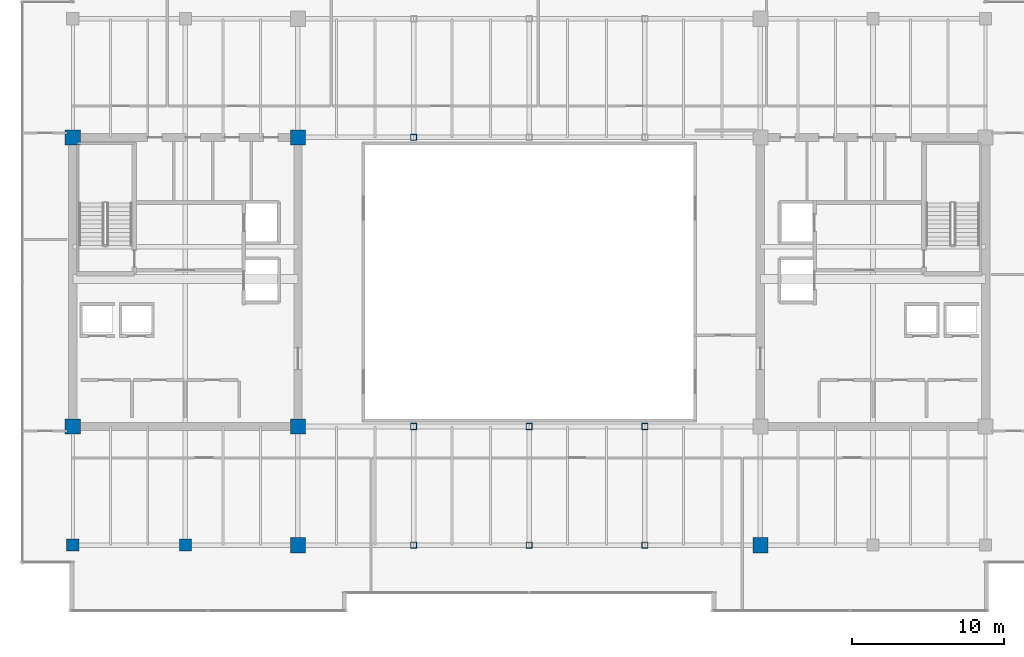
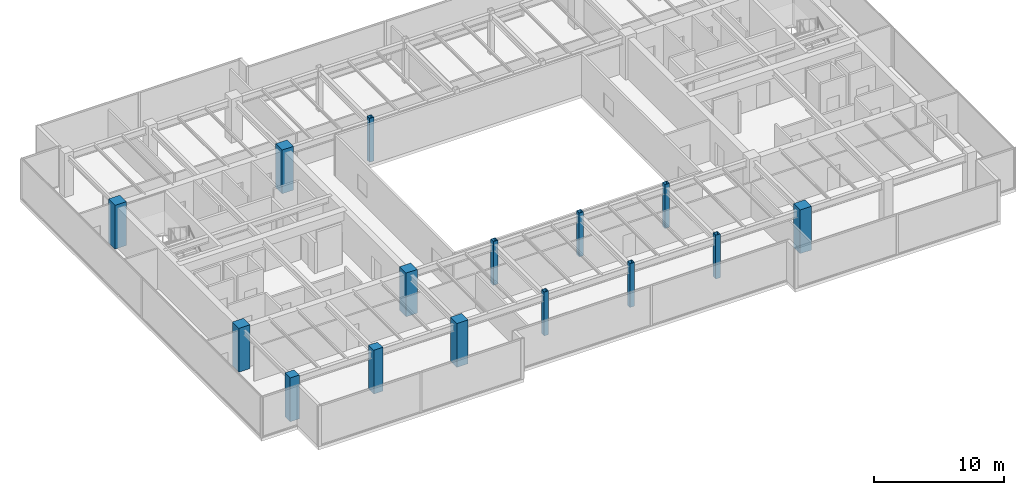
# One storey, part 1 of 33: 15 columns.
"""IFC4 building model written with IfcOpenShell, lengths in metres."""

from ifc_helpers import new_model, si_unit, direction, frame, origin, origin_2d, place, context, subcontext, project, spatial, rectangle, hollow_rectangle, extrude, source, transform, mapped, material, material_profile, profile_set, type_object, type_shapes, element, save


model = new_model("IFC4")

# Units and contexts
model_context = context("Model", 3, precision=1e-05, world=origin(), true_north=direction((0.0, 1.0)))
body_context = subcontext(model_context, "Body", "Model", "MODEL_VIEW")
ifc_project = project(units=[si_unit("LENGTHUNIT", "METRE"), si_unit("AREAUNIT", "SQUARE_METRE"), si_unit("VOLUMEUNIT", "CUBIC_METRE"), si_unit("PLANEANGLEUNIT", "RADIAN"), si_unit("MASSUNIT", "GRAM", prefix="KILO")], contexts=[model_context])

# Site, building, storey
site_placement = place(None, origin())
site = spatial("IfcSite", under=ifc_project, at=site_placement, CompositionType="ELEMENT")
building_placement = place(site_placement, origin())
building = spatial("IfcBuilding", under=site, at=building_placement, Name="Haelvirn Gate Laboratories", CompositionType="ELEMENT")
storey_placement = place(building_placement, frame((0.0, 0.0, 275.199951171875)))
storey = spatial("IfcBuildingStorey", under=building, at=storey_placement, Name="L66", CompositionType="ELEMENT", Elevation=275.199951171875)

# Columns
ifc_material_1 = material(Name="Concrete C60/75", Category="concrete")
ifc_material_profile_1 = material_profile(ifc_material_1, rectangle(XDim=1.0, YDim=1.0, at=origin_2d()), Name="RC-1000x1000")
ifc_profile_set_1 = profile_set([ifc_material_profile_1], Name="Concrete C60/75")
column_type_1 = type_object("IfcColumnType", Name="COL-RC-1000", PredefinedType="COLUMN", material=ifc_profile_set_1)
shared_shape_1 = source(origin(), body_context, "Body", "SweptSolid", [
    extrude(rectangle(XDim=1.0, YDim=1.0, at=origin_2d()), origin(), (0.0, 0.0, 1.0), 4.10009765625),
])
type_shapes(column_type_1, [shared_shape_1])
for number, where, z_axis, x_axis, name in (
    (1, (22.199951171875, 7.0, 0.0), (0.0, 0.0, 1.0), (1.0, 0.0, 0.0), "L66 Column 4B"),
    (2, (7.39990234375, 14.800048828125, 0.0), (0.0, 0.0, 1.0), (1.0, 0.0, 0.0), "L66 Column 2C"),
    (3, (22.199951171875, 14.800048828125, 0.0), (0.0, 0.0, 1.0), (1.0, 0.0, 0.0), "L66 Column 4C"),
    (4, (7.39990234375, 33.800048828125, 0.0), (0.0, 0.0, 1.0), (1.0, 0.0, 0.0), "L66 Column 2F"),
    (5, (22.199951171875, 33.800048828125, 0.0), (0.0, 0.0, 1.0), (1.0, 0.0, 0.0), "L66 Column 4F"),
    (6, (52.60009765625, 7.0, 0.0), (0.0, 0.0, 1.0), (1.0, 0.0, 0.0), "L66 Column 8B"),
):
    element("IfcColumn", number, at=place(storey_placement, frame(where, z_axis=z_axis, x_axis=x_axis)), inside=storey, type_object=column_type_1, Name=name, PredefinedType="COLUMN", context=body_context, shape_type="MappedRepresentation", body=[
        mapped(shared_shape_1, transform((0.0, 0.0, 0.0), scale=1.0)),
    ])
ifc_material_2 = material(Name="Concrete C50/60", Category="concrete")
ifc_material_profile_2 = material_profile(ifc_material_2, rectangle(XDim=0.800048828125, YDim=0.800048828125, at=origin_2d()), Name="RC-800x800")
ifc_profile_set_2 = profile_set([ifc_material_profile_2], Name="Concrete C50/60")
column_type_2 = type_object("IfcColumnType", Name="COL-RC-800", PredefinedType="COLUMN", material=ifc_profile_set_2)
shared_shape_2 = source(origin(), body_context, "Body", "SweptSolid", [
    extrude(rectangle(XDim=0.800048828125, YDim=0.800048828125, at=origin_2d()), origin(), (0.0, 0.0, 1.0), 4.10009765625),
])
type_shapes(column_type_2, [shared_shape_2])
for number, where, z_axis, x_axis, name in (
    (7, (14.800048828125, 7.0, 0.0), (0.0, 0.0, 1.0), (1.0, 0.0, 0.0), "L66 Column 3B"),
    (8, (7.39990234375, 7.0, 0.0), (0.0, 0.0, 1.0), (1.0, 0.0, 0.0), "L66 Column 2B"),
):
    element("IfcColumn", number, at=place(storey_placement, frame(where, z_axis=z_axis, x_axis=x_axis)), inside=storey, type_object=column_type_2, Name=name, PredefinedType="COLUMN", context=body_context, shape_type="MappedRepresentation", body=[
        mapped(shared_shape_2, transform((0.0, 0.0, 0.0), scale=1.0)),
    ])
ifc_material_3 = material(Name="Steel SM355", Category="steel")
ifc_material_profile_3 = material_profile(ifc_material_3, hollow_rectangle(XDim=0.39990234375, YDim=0.39990234375, WallThickness=0.01904296875, at=origin_2d()), Name="BOX-400x400x19")
ifc_profile_set_3 = profile_set([ifc_material_profile_3], Name="Steel SM355")
column_type_3 = type_object("IfcColumnType", Name="COL-BOX-400", PredefinedType="COLUMN", material=ifc_profile_set_3)
shared_shape_3 = source(origin(), body_context, "Body", "SweptSolid", [
    extrude(hollow_rectangle(XDim=0.39990234375, YDim=0.39990234375, WallThickness=0.01904296875, at=origin_2d()), origin(), (0.0, 0.0, 1.0), 4.10009765625),
])
type_shapes(column_type_3, [shared_shape_3])
for number, where, z_axis, x_axis, name in (
    (9, (29.800048828125, 7.0, 0.0), (0.0, 0.0, 1.0), (1.0, 0.0, 0.0), "L66 Column 5B"),
    (10, (29.800048828125, 14.800048828125, 0.0), (0.0, 0.0, 1.0), (1.0, 0.0, 0.0), "L66 Column 5C"),
    (11, (29.800048828125, 33.800048828125, 0.0), (0.0, 0.0, 1.0), (1.0, 0.0, 0.0), "L66 Column 5F"),
    (12, (37.39990234375, 7.0, 0.0), (0.0, 0.0, 1.0), (1.0, 0.0, 0.0), "L66 Column 6B"),
    (13, (37.39990234375, 14.800048828125, 0.0), (0.0, 0.0, 1.0), (1.0, 0.0, 0.0), "L66 Column 6C"),
    (14, (45.0, 7.0, 0.0), (0.0, 0.0, 1.0), (1.0, 0.0, 0.0), "L66 Column 7B"),
    (15, (45.0, 14.800048828125, 0.0), (0.0, 0.0, 1.0), (1.0, 0.0, 0.0), "L66 Column 7C"),
):
    element("IfcColumn", number, at=place(storey_placement, frame(where, z_axis=z_axis, x_axis=x_axis)), inside=storey, type_object=column_type_3, Name=name, PredefinedType="COLUMN", context=body_context, shape_type="MappedRepresentation", body=[
        mapped(shared_shape_3, transform((0.0, 0.0, 0.0), scale=1.0)),
    ])

save(model, "model.ifc")
